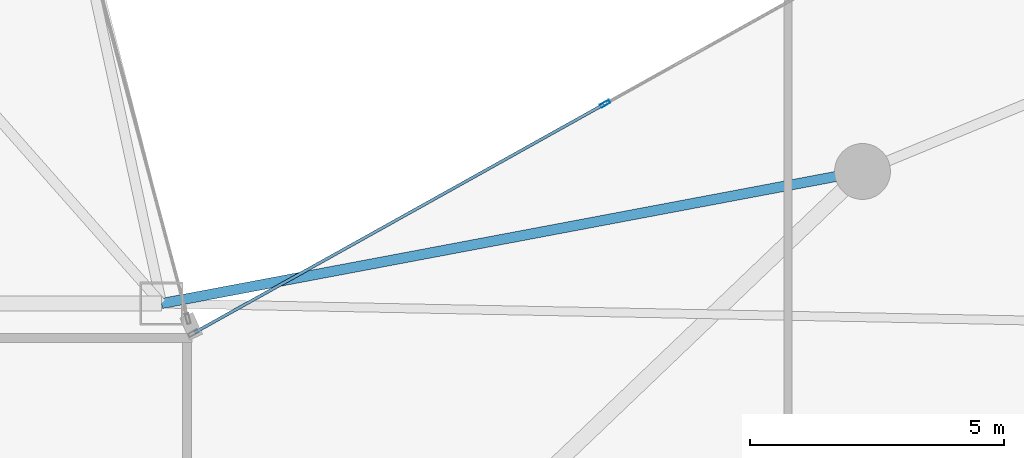
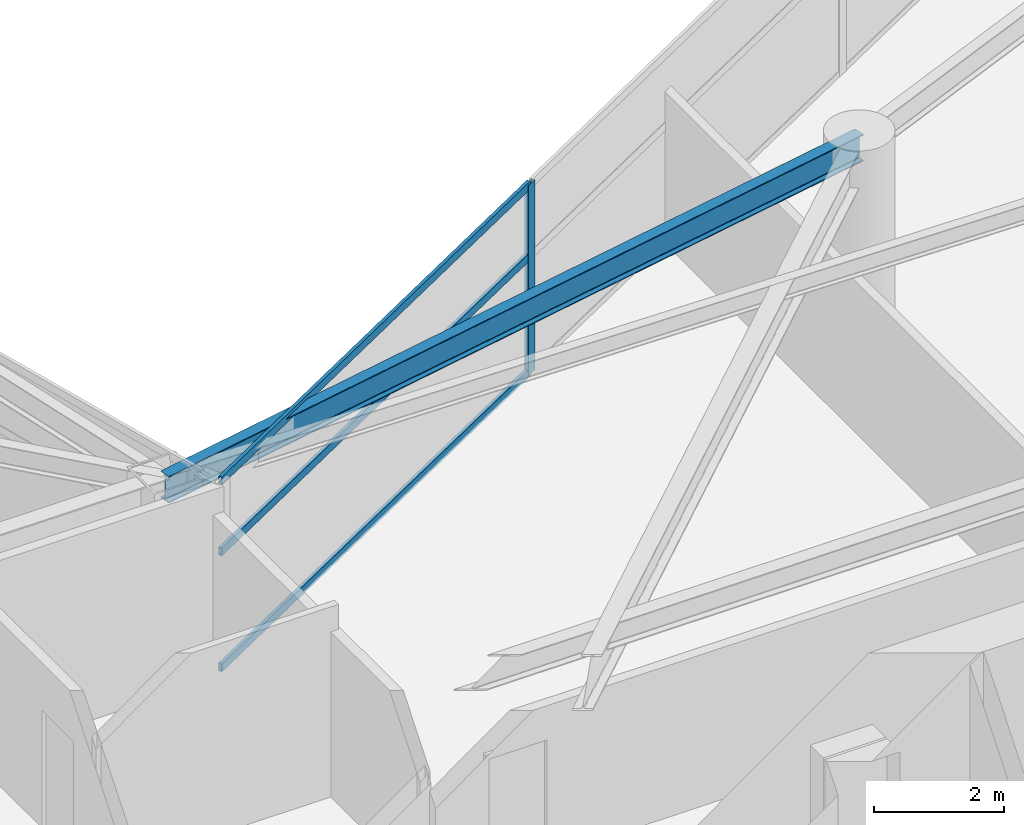
# One storey, part 11 of 29: 4 members, 1 beam, 1 element without a shape of its own.
"""IFC4 building model written with IfcOpenShell, lengths in metres."""

from ifc_helpers import new_model, si_unit, direction, frame, origin, origin_2d, place, context, subcontext, project, spatial, hollow_rectangle, i_section, extrude, material, layer, layer_set, material_profile, profile_set, type_object, element, aggregate, save


model = new_model("IFC4")

# Units and contexts
model_context = context("Model", 3, precision=1e-05, world=origin(), true_north=direction((0.0, 1.0)))
body_context = subcontext(model_context, "Body", "Model", "MODEL_VIEW")
ifc_project = project(units=[si_unit("LENGTHUNIT", "METRE"), si_unit("AREAUNIT", "SQUARE_METRE"), si_unit("VOLUMEUNIT", "CUBIC_METRE"), si_unit("PLANEANGLEUNIT", "RADIAN"), si_unit("MASSUNIT", "GRAM", prefix="KILO")], contexts=[model_context])

# Site, building, storey
site_placement = place(None, origin())
site = spatial("IfcSite", under=ifc_project, at=site_placement, CompositionType="ELEMENT")
building_placement = place(site_placement, origin())
building = spatial("IfcBuilding", under=site, at=building_placement, Name="Calvorn Quay Hotel", CompositionType="ELEMENT")
storey_placement = place(building_placement, frame((0.0, 0.0, 105.0)))
storey = spatial("IfcBuildingStorey", under=building, at=storey_placement, Name="L25", CompositionType="ELEMENT", Elevation=105.0)

# Beam
ifc_material_1 = material(Name="Steel Q355B", Category="steel")
ifc_material_profile_1 = material_profile(ifc_material_1, i_section(OverallWidth=0.199951171875, OverallDepth=0.5, WebThickness=0.010009765625, FlangeThickness=0.01611328125, FilletRadius=0.01611328125, at=origin_2d()), Name="HN500x200x10x16")
ifc_profile_set_1 = profile_set([ifc_material_profile_1], Name="Steel Q355B")
beam_type = type_object("IfcBeamType", Name="BM-SPANDREL-Z1", PredefinedType="SPANDREL", material=ifc_profile_set_1)
beam_placement = place(storey_placement, frame((34.800048828125, 27.60009765625, 3.2900390625), z_axis=(-0.982709432406, -0.185154452988, 0.0), x_axis=(0.185154452988, -0.982709432406, 0.0)))
element("IfcBeam", 1, at=beam_placement, inside=storey, type_object=beam_type, Name="Beam BSP-L25-E5", PredefinedType="SPANDREL", context=body_context, shape_type="SweptSolid", body=[
    extrude(i_section(OverallWidth=0.199951171875, OverallDepth=0.5, WebThickness=0.010009765625, FlangeThickness=0.01611328125, FilletRadius=0.01611328125, at=origin_2d()), origin(), (0.0, 0.0, 1.0), 14.04296875),
])

# Curtain wall, members
ifc_material_2 = material(Name="Pale Anodised Aluminium and Low-E Glass", Category="aluminium")
ifc_layer = layer(ifc_material_2, 0.219970703125)
ifc_layer_set = layer_set([ifc_layer], Name="CW-SYS-Z2")
curtain_wall_type = type_object("IfcCurtainWallType", Name="CW-SYS-Z2", PredefinedType="NOTDEFINED", material=ifc_layer_set)
curtain_wall_placement = place(storey_placement, origin())
curtain_wall = element("IfcCurtainWall", 2, at=curtain_wall_placement, inside=storey, type_object=curtain_wall_type, Name="Inner Court Curtain Wall L25-NE1", PredefinedType="NOTDEFINED")
ifc_material_3 = material(Name="Pale Anodised Aluminium 6063-T6", Category="aluminium")
ifc_material_profile_2 = material_profile(ifc_material_3, hollow_rectangle(XDim=0.070068359375, YDim=0.199951171875, WallThickness=0.00390625, at=origin_2d()), Name="ALU-M200x70x4")
ifc_profile_set_2 = profile_set([ifc_material_profile_2], Name="Pale Anodised Aluminium 6063-T6")
member_type_1 = type_object("IfcMemberType", Name="CW-SYS-Z2-MUL", PredefinedType="MULLION", material=ifc_profile_set_2)
member_1_placement = place(storey_placement, frame((29.7333984375, 28.933349609375, 0.0), z_axis=(0.0, 0.0, 1.0), x_axis=(0.486858256224, -0.873480989116, 0.0)))
member_1 = element("IfcMember", 3, at=member_1_placement, type_object=member_type_1, Name="CW-L25-NE1 mullion 3", PredefinedType="MULLION", context=body_context, shape_type="SweptSolid", body=[
    extrude(hollow_rectangle(XDim=0.070068359375, YDim=0.199951171875, WallThickness=0.00390625, at=origin_2d()), origin(), (0.0, 0.0, 1.0), 3.56005859375),
])
ifc_material_4 = material(Name="Pale Anodised Aluminium 6063-T6", Category="aluminium")
ifc_material_profile_3 = material_profile(ifc_material_4, hollow_rectangle(XDim=0.06005859375, YDim=0.14990234375, WallThickness=0.00341796875, at=origin_2d()), Name="ALU-T150x60x3.5")
ifc_profile_set_3 = profile_set([ifc_material_profile_3], Name="Pale Anodised Aluminium 6063-T6")
member_type_2 = type_object("IfcMemberType", Name="CW-SYS-Z2-TRN", PredefinedType="USERDEFINED", material=ifc_profile_set_3)
member_2_placement = place(storey_placement, frame((29.70703125, 28.918701171875, 0.030029296875), z_axis=(-0.87348080454, -0.486858587375, 0.0), x_axis=(0.486858587375, -0.87348080454, 0.0)))
member_2 = element("IfcMember", 4, at=member_2_placement, type_object=member_type_2, Name="CW-L25-NE1 transom 3.1", ObjectType="TRANSOM", PredefinedType="USERDEFINED", context=body_context, shape_type="SweptSolid", body=[
    extrude(hollow_rectangle(XDim=0.06005859375, YDim=0.14990234375, WallThickness=0.00341796875, at=origin_2d()), origin(), (0.0, 0.0, 1.0), 9.221435546875),
])
member_3_placement = place(storey_placement, frame((29.70703125, 28.918701171875, 2.199951171875), z_axis=(-0.87348080454, -0.486858587375, 0.0), x_axis=(0.486858587375, -0.87348080454, 0.0)))
member_3 = element("IfcMember", 5, at=member_3_placement, type_object=member_type_2, Name="CW-L25-NE1 transom 3.2", ObjectType="TRANSOM", PredefinedType="USERDEFINED", context=body_context, shape_type="SweptSolid", body=[
    extrude(hollow_rectangle(XDim=0.06005859375, YDim=0.14990234375, WallThickness=0.00341796875, at=origin_2d()), origin(), (0.0, 0.0, 1.0), 9.221435546875),
])
member_4_placement = place(storey_placement, frame((29.70703125, 28.918701171875, 3.530029296875), z_axis=(-0.87348080454, -0.486858587375, 0.0), x_axis=(0.486858587375, -0.87348080454, 0.0)))
member_4 = element("IfcMember", 6, at=member_4_placement, type_object=member_type_2, Name="CW-L25-NE1 transom 3.3", ObjectType="TRANSOM", PredefinedType="USERDEFINED", context=body_context, shape_type="SweptSolid", body=[
    extrude(hollow_rectangle(XDim=0.06005859375, YDim=0.14990234375, WallThickness=0.00341796875, at=origin_2d()), origin(), (0.0, 0.0, 1.0), 9.221435546875),
])
aggregate(curtain_wall, [member_1, member_2, member_3, member_4])

save(model, "model.ifc")
